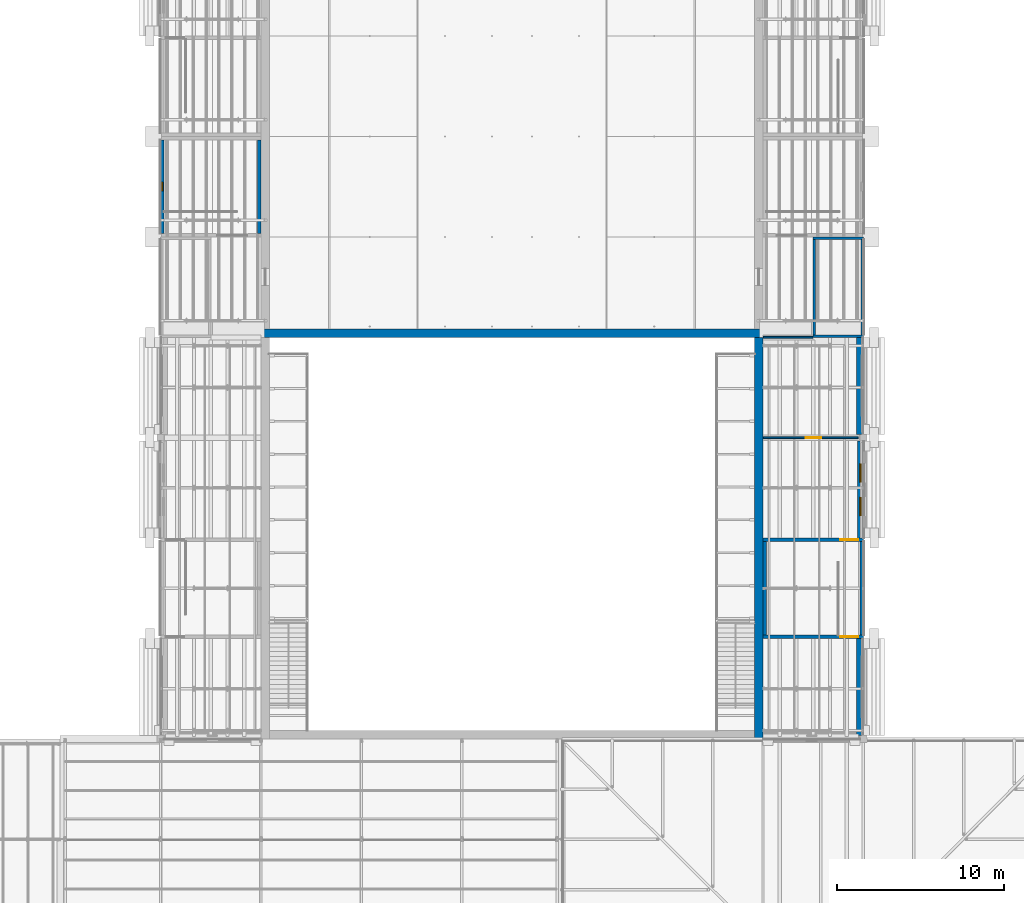
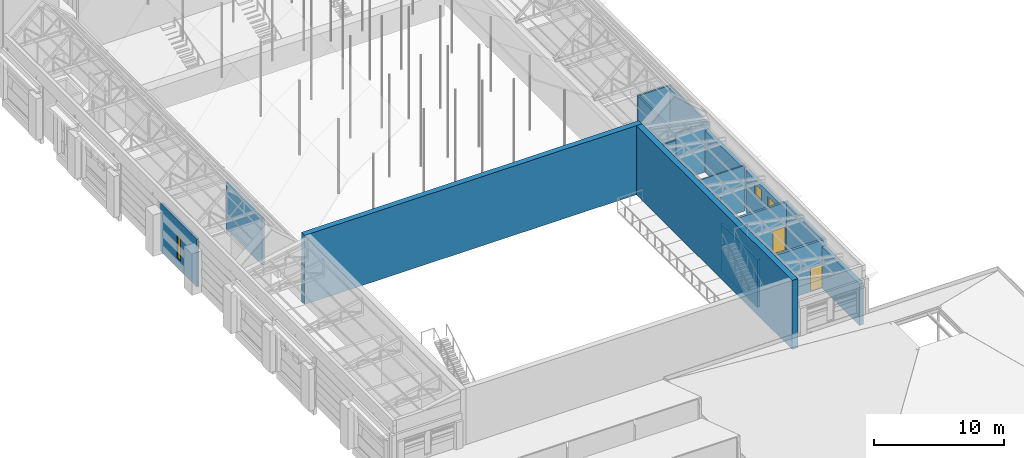
# One storey, part 61 of 118: 17 walls, 3 doors, 3 windows, 6 openings.
"""IFC4 building model written with IfcOpenShell, lengths in metres."""

from ifc_helpers import new_model, si_unit, direction, frame, frame_2d, origin, place, context, subcontext, project, spatial, rectangle, extrude, material, layer, layer_set, type_object, element, fill, save


model = new_model("IFC4")

# Units and contexts
model_context = context("Model", 3, precision=1e-05, world=origin(), true_north=direction((0.0, 1.0)))
body_context = subcontext(model_context, "Body", "Model", "MODEL_VIEW")
ifc_project = project(units=[si_unit("LENGTHUNIT", "METRE"), si_unit("AREAUNIT", "SQUARE_METRE"), si_unit("VOLUMEUNIT", "CUBIC_METRE"), si_unit("PLANEANGLEUNIT", "RADIAN"), si_unit("MASSUNIT", "GRAM", prefix="KILO")], contexts=[model_context])

# Site, building, storey
site_placement = place(None, origin())
site = spatial("IfcSite", under=ifc_project, at=site_placement, CompositionType="ELEMENT")
building_placement = place(site_placement, origin())
building = spatial("IfcBuilding", under=site, at=building_placement, Name="Saffron Lane Theatres", CompositionType="ELEMENT")
storey_placement = place(building_placement, frame((0.0, 0.0, 16.5)))
storey = spatial("IfcBuildingStorey", under=building, at=storey_placement, Name="L03", CompositionType="ELEMENT", Elevation=16.5)

# Wall
ifc_material_1 = material(Name="Masonry pale clay brick", Category="masonry")
ifc_layer_1 = layer(ifc_material_1, 0.35009765625)
ifc_layer_set_1 = layer_set([ifc_layer_1], Name="Masonry pale clay brick")
wall_type_1 = type_object("IfcWallType", Name="EX-WALL BRICK 350", PredefinedType="SOLIDWALL", material=ifc_layer_set_1)
wall_1_placement = place(storey_placement, frame((53.77490234375, 54.0, 0.0), z_axis=(0.0, 0.0, 1.0), x_axis=(0.0, -1.0, 0.0)))
element("IfcWall", 1, at=wall_1_placement, inside=storey, type_object=wall_type_1, Name="External wall L03 18", PredefinedType="SOLIDWALL", context=body_context, shape_type="SweptSolid", body=[
    extrude(rectangle(XDim=5.800048828125, YDim=0.35009765625, at=frame_2d((2.89990234375, 0.0))), origin(), (0.0, 0.0, 1.0), 3.89990234375),
])

# Wall, openings, windows
wall_2_placement = place(storey_placement, frame((53.824951171875, 47.800048828125, 0.0), z_axis=(0.0, 0.0, 1.0), x_axis=(0.0, -1.0, 0.0)))
wall_2 = element("IfcWall", 2, at=wall_2_placement, inside=storey, type_object=wall_type_1, Name="External wall L03 19", PredefinedType="SOLIDWALL", context=body_context, shape_type="SweptSolid", body=[
    extrude(rectangle(XDim=5.800048828125, YDim=0.35009765625, at=frame_2d((2.89990234375, 0.0))), origin(), (0.0, 0.0, 1.0), 3.89990234375),
])
opening_1_placement = place(wall_2_placement, frame((1.35009765625, 0.0, 2.39990234375)))
opening_1 = element("IfcOpeningElement", 3, at=opening_1_placement, cuts=wall_2, Name="Opening WN03-036", PredefinedType="OPENING", context=body_context, shape_type="SweptSolid", body=[
    extrude(rectangle(XDim=1.10009765625, YDim=1.10009765625, at=frame_2d((0.550048828125, 0.550048828125))), frame((0.0, 0.18505859375, 0.0), z_axis=(0.0, -1.0, 0.0), x_axis=(1.0, 0.0, 0.0)), (0.0, 0.0, 1.0), 0.3701171875),
])
opening_2_placement = place(wall_2_placement, frame((3.35009765625, 0.0, 2.39990234375)))
opening_2 = element("IfcOpeningElement", 4, at=opening_2_placement, cuts=wall_2, Name="Opening WN03-037", PredefinedType="OPENING", context=body_context, shape_type="SweptSolid", body=[
    extrude(rectangle(XDim=1.10009765625, YDim=1.10009765625, at=frame_2d((0.550048828125, 0.550048828125))), frame((0.0, 0.18505859375, 0.0), z_axis=(0.0, -1.0, 0.0), x_axis=(1.0, 0.0, 0.0)), (0.0, 0.0, 1.0), 0.3701171875),
])
ifc_material_2 = material(Name="Aluminium", Category="aluminium")
window_type_1 = type_object("IfcWindowType", Name="EX-WINDOW 1100x1100", PartitioningType="SINGLE_PANEL", PredefinedType="WINDOW", material=ifc_material_2)
window_1_placement = place(opening_1_placement, origin())
window_1 = element("IfcWindow", 5, at=window_1_placement, inside=storey, type_object=window_type_1, Name="Window L03 036", OverallHeight=1.10009765625, OverallWidth=1.10009765625, PartitioningType="SINGLE_PANEL", PredefinedType="WINDOW", context=body_context, shape_type="SweptSolid", body=[
    extrude(rectangle(XDim=1.10009765625, YDim=1.10009765625, at=frame_2d((0.550048828125, 0.550048828125))), frame((0.0, 0.030029296875, 0.0), z_axis=(0.0, -1.0, 0.0), x_axis=(1.0, 0.0, 0.0)), (0.0, 0.0, 1.0), 0.06005859375),
])
fill(opening_1, window_1)
window_2_placement = place(opening_2_placement, origin())
window_2 = element("IfcWindow", 6, at=window_2_placement, inside=storey, type_object=window_type_1, Name="Window L03 037", OverallHeight=1.10009765625, OverallWidth=1.10009765625, PartitioningType="SINGLE_PANEL", PredefinedType="WINDOW", context=body_context, shape_type="SweptSolid", body=[
    extrude(rectangle(XDim=1.10009765625, YDim=1.10009765625, at=frame_2d((0.550048828125, 0.550048828125))), frame((0.0, 0.030029296875, 0.0), z_axis=(0.0, -1.0, 0.0), x_axis=(1.0, 0.0, 0.0)), (0.0, 0.0, 1.0), 0.06005859375),
])
fill(opening_2, window_2)

# Wall
wall_3_placement = place(storey_placement, frame((53.77490234375, 36.0, 0.0), z_axis=(0.0, 0.0, 1.0), x_axis=(0.0, -1.0, 0.0)))
element("IfcWall", 7, at=wall_3_placement, inside=storey, type_object=wall_type_1, Name="External wall L03 20", PredefinedType="SOLIDWALL", context=body_context, shape_type="SweptSolid", body=[
    extrude(rectangle(XDim=5.800048828125, YDim=0.35009765625, at=frame_2d((2.89990234375, 0.0))), origin(), (0.0, 0.0, 1.0), 3.89990234375),
])

# Wall, opening, door
ifc_material_3 = material(Name="Masonry block partition", Category="masonry")
ifc_layer_2 = layer(ifc_material_3, 0.110107421875)
ifc_layer_set_2 = layer_set([ifc_layer_2], Name="Masonry block partition")
wall_type_2 = type_object("IfcWallType", Name="IN-BLOCK PARTITION 110", PredefinedType="PARTITIONING", material=ifc_layer_set_2)
wall_4_placement = place(storey_placement, frame((48.02001953125, 48.0, 0.0), z_axis=(0.0, 0.0, 1.0), x_axis=(1.0, 0.0, 0.0)))
wall_4 = element("IfcWall", 8, at=wall_4_placement, inside=storey, type_object=wall_type_2, Name="PW-L03-036", PredefinedType="PARTITIONING", context=body_context, shape_type="SweptSolid", body=[
    extrude(rectangle(XDim=5.66015625, YDim=0.110107421875, at=frame_2d((2.830078125, 0.0))), origin(), (0.0, 0.0, 1.0), 4.280029296875),
])
opening_3_placement = place(wall_4_placement, frame((2.530029296875, 0.0, 0.0)))
opening_3 = element("IfcOpeningElement", 9, at=opening_3_placement, cuts=wall_4, Name="Opening D03-10", PredefinedType="OPENING", context=body_context, shape_type="SweptSolid", body=[
    extrude(rectangle(XDim=0.919921875, YDim=2.0400390625, at=frame_2d((0.4599609375, 1.02001953125))), frame((0.0, 0.06494140625, 0.0), z_axis=(0.0, -1.0, 0.0), x_axis=(1.0, 0.0, 0.0)), (0.0, 0.0, 1.0), 0.130126953125),
])
ifc_material_4 = material(Name="Steel faced fire door leaf", Category="steel")
door_type_1 = type_object("IfcDoorType", Name="IN-DOOR 920x2040 FD60", OperationType="NOTDEFINED", PredefinedType="DOOR", material=ifc_material_4)
door_1_placement = place(opening_3_placement, origin())
door_1 = element("IfcDoor", 10, at=door_1_placement, inside=storey, type_object=door_type_1, Name="D03-10", OperationType="SINGLE_SWING_LEFT", OverallHeight=2.0400390625, OverallWidth=0.919921875, PredefinedType="DOOR", context=body_context, shape_type="SweptSolid", body=[
    extrude(rectangle(XDim=0.919921875, YDim=2.0400390625, at=frame_2d((0.4599609375, 1.02001953125))), frame((0.0, 0.02490234375, 0.0), z_axis=(0.0, -1.0, 0.0), x_axis=(1.0, 0.0, 0.0)), (0.0, 0.0, 1.0), 0.050048828125),
])
fill(opening_3, door_1)

# Walls
wall_5_placement = place(storey_placement, frame((48.02001953125, 54.0, 0.0), z_axis=(0.0, 0.0, 1.0), x_axis=(1.0, 0.0, 0.0)))
element("IfcWall", 11, at=wall_5_placement, inside=storey, type_object=wall_type_2, Name="PW-L03-037", PredefinedType="PARTITIONING", context=body_context, shape_type="SweptSolid", body=[
    extrude(rectangle(XDim=2.9599609375, YDim=0.110107421875, at=frame_2d((1.47998046875, 0.0))), origin(), (0.0, 0.0, 1.0), 3.89990234375),
])
ifc_material_5 = material(Name="Concrete N50 (50 MPa)", Category="concrete")
ifc_layer_3 = layer(ifc_material_5, 0.14990234375)
ifc_layer_set_3 = layer_set([ifc_layer_3], Name="Concrete N50 (50 MPa)")
wall_type_3 = type_object("IfcWallType", Name="RC-CORE 150", PredefinedType="SHEAR", material=ifc_layer_set_3)
for number, where, z_axis, x_axis, name in (
    (12, (51.0, 59.925048828125, 0.0), (0.0, 0.0, 1.0), (1.0, 0.0, 0.0), "W-R4-N-L03"),
    (13, (51.0, 54.074951171875, 0.0), (0.0, 0.0, 1.0), (1.0, 0.0, 0.0), "W-R4-S-L03"),
):
    element("IfcWall", number, at=place(storey_placement, frame(where, z_axis=z_axis, x_axis=x_axis)), inside=storey, type_object=wall_type_3, Name=name, PredefinedType="SHEAR", context=body_context, shape_type="SweptSolid", body=[
        extrude(rectangle(XDim=3.0, YDim=0.14990234375, at=frame_2d((1.5, 0.0))), origin(), (0.0, 0.0, 1.0), 4.5),
    ])
wall_6_placement = place(storey_placement, frame((51.074951171875, 54.14990234375, 0.0), z_axis=(0.0, 0.0, 1.0), x_axis=(0.0, 1.0, 0.0)))
element("IfcWall", 14, at=wall_6_placement, inside=storey, type_object=wall_type_3, Name="W-R4-W-L03", PredefinedType="SHEAR", context=body_context, shape_type="SweptSolid", body=[
    extrude(rectangle(XDim=5.7001953125, YDim=0.14990234375, at=frame_2d((2.85009765625, 0.0))), origin(), (0.0, 0.0, 1.0), 4.5),
])
ifc_material_6 = material(Name="Concrete N50 (50 MPa)", Category="concrete")
ifc_layer_4 = layer(ifc_material_6, 0.199951171875)
ifc_layer_set_4 = layer_set([ifc_layer_4], Name="Concrete N50 (50 MPa)")
wall_type_4 = type_object("IfcWallType", Name="RC-CORE 200", PredefinedType="SHEAR", material=ifc_layer_set_4)
wall_7_placement = place(storey_placement, frame((17.89990234375, 60.199951171875, 0.0), z_axis=(0.0, 0.0, 1.0), x_axis=(0.0, 1.0, 0.0)))
element("IfcWall", 15, at=wall_7_placement, inside=storey, type_object=wall_type_4, Name="W-ST10-E-L03", PredefinedType="SHEAR", context=body_context, shape_type="SweptSolid", body=[
    extrude(rectangle(XDim=5.60009765625, YDim=0.199951171875, at=frame_2d((2.800048828125, 0.0))), origin(), (0.0, 0.0, 1.0), 4.422119140625),
])

# Wall, opening, door
wall_8_placement = place(storey_placement, frame((48.0, 41.89990234375, 0.0), z_axis=(0.0, 0.0, 1.0), x_axis=(1.0, 0.0, 0.0)))
wall_8 = element("IfcWall", 16, at=wall_8_placement, inside=storey, type_object=wall_type_4, Name="W-ST6-N-L03", PredefinedType="SHEAR", context=body_context, shape_type="SweptSolid", body=[
    extrude(rectangle(XDim=6.0, YDim=0.199951171875, at=frame_2d((3.0, 0.0))), origin(), (0.0, 0.0, 1.0), 4.5),
])
opening_4_placement = place(wall_8_placement, frame((4.60009765625, 0.0, 0.0)))
opening_4 = element("IfcOpeningElement", 17, at=opening_4_placement, cuts=wall_8, Name="Opening D03-21", PredefinedType="OPENING", context=body_context, shape_type="SweptSolid", body=[
    extrude(rectangle(XDim=1.10009765625, YDim=2.199951171875, at=frame_2d((0.550048828125, 1.10009765625))), frame((0.0, 0.10986328125, 0.0), z_axis=(0.0, -1.0, 0.0), x_axis=(1.0, 0.0, 0.0)), (0.0, 0.0, 1.0), 0.219970703125),
])
ifc_material_7 = material(Name="Steel faced fire door leaf", Category="steel")
door_type_2 = type_object("IfcDoorType", Name="IN-DOOR 1100x2200 FD120", OperationType="NOTDEFINED", PredefinedType="DOOR", material=ifc_material_7)
door_2_placement = place(opening_4_placement, frame((1.10009765625, 0.0, 0.0), z_axis=(0.0, 0.0, 1.0), x_axis=(-1.0, 0.0, 0.0)))
door_2 = element("IfcDoor", 18, at=door_2_placement, inside=storey, type_object=door_type_2, Name="D03-21", OperationType="SINGLE_SWING_RIGHT", OverallHeight=2.199951171875, OverallWidth=1.10009765625, PredefinedType="DOOR", context=body_context, shape_type="SweptSolid", body=[
    extrude(rectangle(XDim=1.10009765625, YDim=2.199951171875, at=frame_2d((0.550048828125, 1.10009765625))), frame((0.0, 0.02490234375, 0.0), z_axis=(0.0, -1.0, 0.0), x_axis=(1.0, 0.0, 0.0)), (0.0, 0.0, 1.0), 0.050048828125),
])
fill(opening_4, door_2)

wall_9_placement = place(storey_placement, frame((48.0, 36.10009765625, 0.0), z_axis=(0.0, 0.0, 1.0), x_axis=(1.0, 0.0, 0.0)))
wall_9 = element("IfcWall", 19, at=wall_9_placement, inside=storey, type_object=wall_type_4, Name="W-ST6-S-L03", PredefinedType="SHEAR", context=body_context, shape_type="SweptSolid", body=[
    extrude(rectangle(XDim=6.0, YDim=0.199951171875, at=frame_2d((3.0, 0.0))), origin(), (0.0, 0.0, 1.0), 4.5),
])
opening_5_placement = place(wall_9_placement, frame((4.60009765625, 0.0, 0.0)))
opening_5 = element("IfcOpeningElement", 20, at=opening_5_placement, cuts=wall_9, Name="Opening D03-20", PredefinedType="OPENING", context=body_context, shape_type="SweptSolid", body=[
    extrude(rectangle(XDim=1.10009765625, YDim=2.199951171875, at=frame_2d((0.550048828125, 1.10009765625))), frame((0.0, 0.10986328125, 0.0), z_axis=(0.0, -1.0, 0.0), x_axis=(1.0, 0.0, 0.0)), (0.0, 0.0, 1.0), 0.219970703125),
])
door_3_placement = place(opening_5_placement, origin())
door_3 = element("IfcDoor", 21, at=door_3_placement, inside=storey, type_object=door_type_2, Name="D03-20", OperationType="SINGLE_SWING_LEFT", OverallHeight=2.199951171875, OverallWidth=1.10009765625, PredefinedType="DOOR", context=body_context, shape_type="SweptSolid", body=[
    extrude(rectangle(XDim=1.10009765625, YDim=2.199951171875, at=frame_2d((0.550048828125, 1.10009765625))), frame((0.0, 0.02490234375, 0.0), z_axis=(0.0, -1.0, 0.0), x_axis=(1.0, 0.0, 0.0)), (0.0, 0.0, 1.0), 0.050048828125),
])
fill(opening_5, door_3)

# Walls
wall_10_placement = place(storey_placement, frame((48.10009765625, 36.199951171875, 0.0), z_axis=(0.0, 0.0, 1.0), x_axis=(0.0, 1.0, 0.0)))
element("IfcWall", 22, at=wall_10_placement, inside=storey, type_object=wall_type_4, Name="W-ST6-W-L03", PredefinedType="SHEAR", context=body_context, shape_type="SweptSolid", body=[
    extrude(rectangle(XDim=5.60009765625, YDim=0.199951171875, at=frame_2d((2.800048828125, 0.0))), origin(), (0.0, 0.0, 1.0), 4.5),
])
ifc_material_8 = material(Name="Concrete N50 (50 MPa)", Category="concrete")
ifc_layer_5 = layer(ifc_material_8, 0.14990234375)
ifc_layer_set_5 = layer_set([ifc_layer_5], Name="Concrete N50 (50 MPa)")
wall_type_5 = type_object("IfcWallType", Name="RC-CORE EXTERNAL 150", PredefinedType="SHEAR", material=ifc_layer_set_5)
wall_11_placement = place(storey_placement, frame((53.925048828125, 54.14990234375, 0.0), z_axis=(0.0, 0.0, 1.0), x_axis=(0.0, 1.0, 0.0)))
element("IfcWall", 23, at=wall_11_placement, inside=storey, type_object=wall_type_5, Name="W-R4-E-L03", PredefinedType="SHEAR", context=body_context, shape_type="SweptSolid", body=[
    extrude(rectangle(XDim=5.7001953125, YDim=0.14990234375, at=frame_2d((2.85009765625, 0.0))), origin(), (0.0, 0.0, 1.0), 4.5),
])

# Wall, opening, window
ifc_material_9 = material(Name="Concrete N50 (50 MPa)", Category="concrete")
ifc_layer_6 = layer(ifc_material_9, 0.199951171875)
ifc_layer_set_6 = layer_set([ifc_layer_6], Name="Concrete N50 (50 MPa)")
wall_type_6 = type_object("IfcWallType", Name="RC-CORE EXTERNAL 200", PredefinedType="SHEAR", material=ifc_layer_set_6)
wall_12_placement = place(storey_placement, frame((12.10009765625, 60.199951171875, 0.0), z_axis=(0.0, 0.0, 1.0), x_axis=(0.0, 1.0, 0.0)))
wall_12 = element("IfcWall", 24, at=wall_12_placement, inside=storey, type_object=wall_type_6, Name="W-ST10-W-L03", PredefinedType="SHEAR", context=body_context, shape_type="SweptSolid", body=[
    extrude(rectangle(XDim=5.60009765625, YDim=0.199951171875, at=frame_2d((2.800048828125, 0.0))), origin(), (0.0, 0.0, 1.0), 4.5),
])
opening_6_placement = place(wall_12_placement, frame((2.550048828125, 0.0, 0.89990234375)))
opening_6 = element("IfcOpeningElement", 25, at=opening_6_placement, cuts=wall_12, Name="Opening WN03-058", PredefinedType="OPENING", context=body_context, shape_type="SweptSolid", body=[
    extrude(rectangle(XDim=0.5, YDim=2.10009765625, at=frame_2d((0.25, 1.050048828125))), frame((0.0, 0.10986328125, 0.0), z_axis=(0.0, -1.0, 0.0), x_axis=(1.0, 0.0, 0.0)), (0.0, 0.0, 1.0), 0.219970703125),
])
ifc_material_10 = material(Name="Aluminium", Category="aluminium")
window_type_2 = type_object("IfcWindowType", Name="EX-WINDOW 500x2100", PartitioningType="SINGLE_PANEL", PredefinedType="WINDOW", material=ifc_material_10)
window_3_placement = place(opening_6_placement, origin())
window_3 = element("IfcWindow", 26, at=window_3_placement, inside=storey, type_object=window_type_2, Name="Stair light ST10 L03", OverallHeight=2.10009765625, OverallWidth=0.5, PartitioningType="SINGLE_PANEL", PredefinedType="WINDOW", context=body_context, shape_type="SweptSolid", body=[
    extrude(rectangle(XDim=0.5, YDim=2.10009765625, at=frame_2d((0.25, 1.050048828125))), frame((0.0, 0.030029296875, 0.0), z_axis=(0.0, -1.0, 0.0), x_axis=(1.0, 0.0, 0.0)), (0.0, 0.0, 1.0), 0.06005859375),
])
fill(opening_6, window_3)

# Walls
wall_13_placement = place(storey_placement, frame((53.89990234375, 36.199951171875, 0.0), z_axis=(0.0, 0.0, 1.0), x_axis=(0.0, 1.0, 0.0)))
element("IfcWall", 27, at=wall_13_placement, inside=storey, type_object=wall_type_6, Name="W-ST6-E-L03", PredefinedType="SHEAR", context=body_context, shape_type="SweptSolid", body=[
    extrude(rectangle(XDim=5.60009765625, YDim=0.199951171875, at=frame_2d((2.800048828125, 0.0))), origin(), (0.0, 0.0, 1.0), 4.5),
])
ifc_material_11 = material(Name="Concrete N50 (50 MPa)", Category="concrete")
ifc_layer_7 = layer(ifc_material_11, 0.5)
ifc_layer_set_7 = layer_set([ifc_layer_7], Name="Concrete N50 (50 MPa)")
wall_type_7 = type_object("IfcWallType", Name="RC-PROSCENIUM 500", PredefinedType="SHEAR", material=ifc_layer_set_7)
wall_14_placement = place(storey_placement, frame((18.0, 54.25, 0.0), z_axis=(0.0, 0.0, 1.0), x_axis=(1.0, 0.0, 0.0)))
element("IfcWall", 28, at=wall_14_placement, inside=storey, type_object=wall_type_7, Name="W-PROSC-L03-A", PredefinedType="SHEAR", context=body_context, shape_type="SweptSolid", body=[
    extrude(rectangle(XDim=30.0, YDim=0.5, at=frame_2d((15.0, 0.0))), origin(), (0.0, 0.0, 1.0), 6.5),
])
ifc_material_12 = material(Name="Concrete N50 (50 MPa)", Category="concrete")
ifc_layer_8 = layer(ifc_material_12, 0.5)
ifc_layer_set_8 = layer_set([ifc_layer_8], Name="Concrete N50 (50 MPa)")
wall_type_8 = type_object("IfcWallType", Name="RC-WALL 500", PredefinedType="SHEAR", material=ifc_layer_set_8)
wall_15_placement = place(storey_placement, frame((47.75, 30.0, 0.0), z_axis=(0.0, 0.0, 1.0), x_axis=(0.0, 1.0, 0.0)))
element("IfcWall", 29, at=wall_15_placement, inside=storey, type_object=wall_type_8, Name="W-STGS-E-L03", PredefinedType="SHEAR", context=body_context, shape_type="SweptSolid", body=[
    extrude(rectangle(XDim=24.0, YDim=0.5, at=frame_2d((12.0, 0.0))), origin(), (0.0, 0.0, 1.0), 6.5),
])

save(model, "model.ifc")
